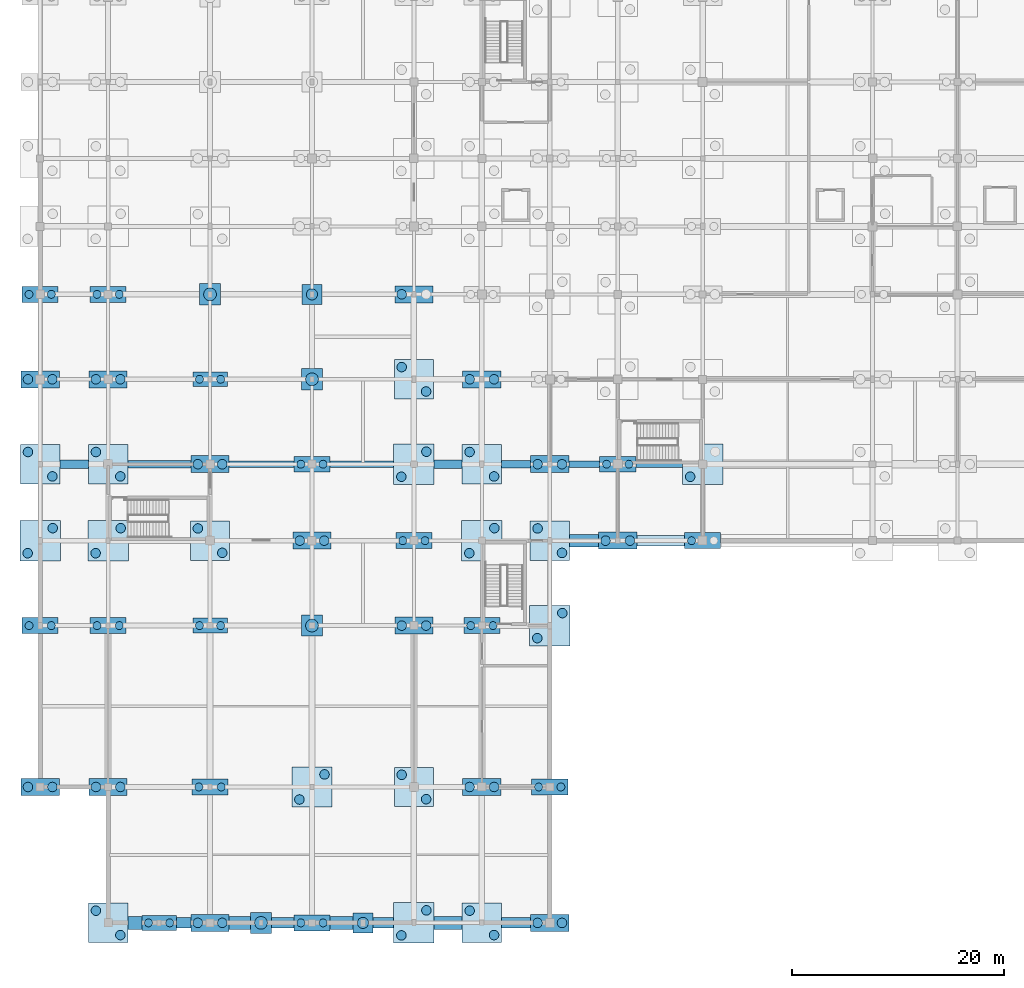
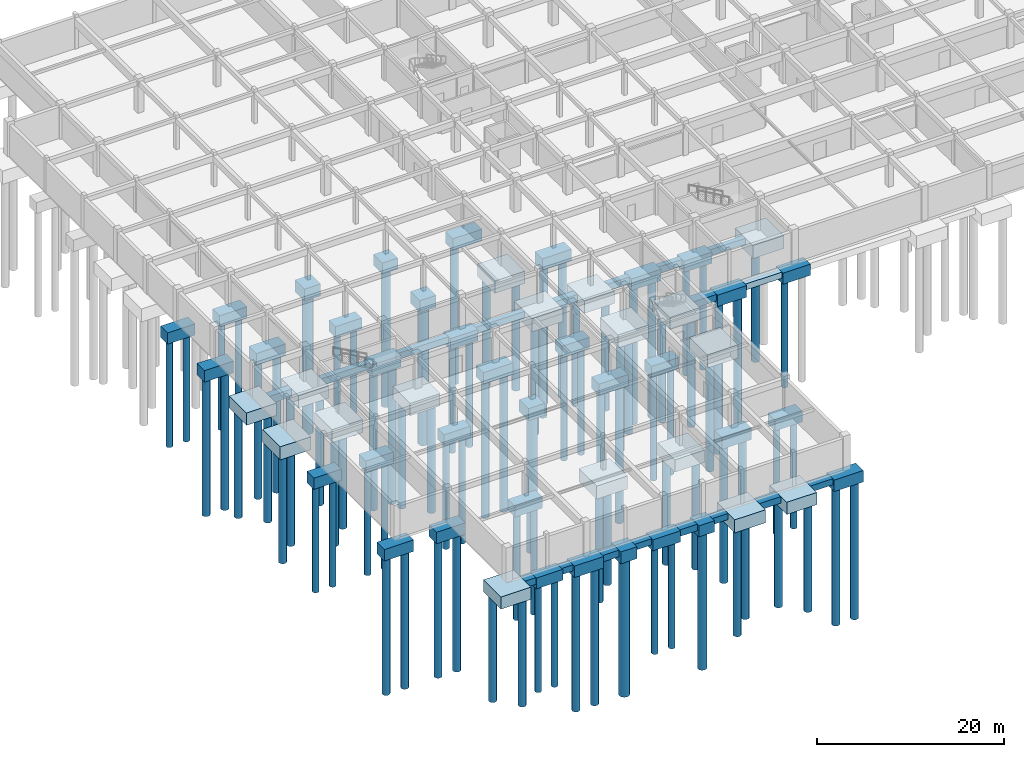
# One storey, part 1 of 28: 95 piles, 70 footings.
"""IFC4 building model written with IfcOpenShell, lengths in metres."""

from ifc_helpers import new_model, si_unit, direction, frame, origin, origin_2d, place, context, subcontext, project, spatial, rectangle, circle, extrude, material, material_profile, profile_set, type_object, element, save


model = new_model("IFC4")

# Units and contexts
model_context = context("Model", 3, precision=1e-05, world=origin(), true_north=direction((0.0, 1.0)))
body_context = subcontext(model_context, "Body", "Model", "MODEL_VIEW")
ifc_project = project(units=[si_unit("LENGTHUNIT", "METRE"), si_unit("AREAUNIT", "SQUARE_METRE"), si_unit("VOLUMEUNIT", "CUBIC_METRE"), si_unit("PLANEANGLEUNIT", "RADIAN"), si_unit("MASSUNIT", "GRAM", prefix="KILO")], contexts=[model_context])

# Site, building, storey
site_placement = place(None, origin())
site = spatial("IfcSite", under=ifc_project, at=site_placement, CompositionType="ELEMENT")
building_placement = place(site_placement, origin())
building = spatial("IfcBuilding", under=site, at=building_placement, Name="Vellmiral Cinema and Media Centre", CompositionType="ELEMENT")
storey_placement = place(building_placement, frame((0.0, 0.0, -4.5)))
storey = spatial("IfcBuildingStorey", under=building, at=storey_placement, Name="B1", CompositionType="ELEMENT", Elevation=-4.5)

# Footings
ifc_material_1 = material(Name="Concrete C30/37", Category="concrete")
footing_type_1 = type_object("IfcFootingType", Name="FTG-FB-60x80", PredefinedType="FOOTING_BEAM", material=ifc_material_1)
footing_1_placement = place(storey_placement, frame((30.300048828125, 43.199951171875, -1.26025390625), z_axis=(0.0, 0.0, 1.0), x_axis=(1.0, 0.0, 0.0)))
element("IfcFooting", 1, at=footing_1_placement, inside=storey, type_object=footing_type_1, Name="Footing Tie Beam 04", PredefinedType="FOOTING_BEAM", context=body_context, shape_type="SweptSolid", body=[
    extrude(rectangle(XDim=5.99609375, YDim=0.60009765625, at=origin_2d()), origin(), (0.0, 0.0, 1.0), 0.800048828125),
])
footing_2_placement = place(storey_placement, frame((58.300048828125, 43.199951171875, -1.26025390625), z_axis=(0.0, 0.0, 1.0), x_axis=(1.0, 0.0, 0.0)))
element("IfcFooting", 2, at=footing_2_placement, inside=storey, type_object=footing_type_1, Name="Footing Tie Beam 08", PredefinedType="FOOTING_BEAM", context=body_context, shape_type="SweptSolid", body=[
    extrude(rectangle(XDim=4.39599609375, YDim=0.60009765625, at=origin_2d()), origin(), (0.0, 0.0, 1.0), 0.800048828125),
])
ifc_material_2 = material(Name="Concrete C30/37", Category="concrete")
footing_type_2 = type_object("IfcFootingType", Name="FTG-FB-65x85", PredefinedType="FOOTING_BEAM", material=ifc_material_2)
footing_3_placement = place(storey_placement, frame((20.85009765625, 43.199951171875, -1.31005859375), z_axis=(0.0, 0.0, 1.0), x_axis=(1.0, 0.0, 0.0)))
element("IfcFooting", 3, at=footing_3_placement, inside=storey, type_object=footing_type_2, Name="Footing Tie Beam 03", PredefinedType="FOOTING_BEAM", context=body_context, shape_type="SweptSolid", body=[
    extrude(rectangle(XDim=6.095947265625, YDim=0.64990234375, at=origin_2d()), origin(), (0.0, 0.0, 1.0), 0.85009765625),
])
footing_4_placement = place(storey_placement, frame((51.25, 43.199951171875, -1.31005859375), z_axis=(0.0, 0.0, 1.0), x_axis=(1.0, 0.0, 0.0)))
element("IfcFooting", 4, at=footing_4_placement, inside=storey, type_object=footing_type_2, Name="Footing Tie Beam 07", PredefinedType="FOOTING_BEAM", context=body_context, shape_type="SweptSolid", body=[
    extrude(rectangle(XDim=2.89599609375, YDim=0.64990234375, at=origin_2d()), origin(), (0.0, 0.0, 1.0), 0.85009765625),
])
ifc_material_3 = material(Name="Concrete C30/37", Category="concrete")
footing_type_3 = type_object("IfcFootingType", Name="FTG-FB-70x90", PredefinedType="FOOTING_BEAM", material=ifc_material_3)
footing_5_placement = place(storey_placement, frame((11.22509765625, 43.199951171875, -1.35986328125), z_axis=(0.0, 0.0, 1.0), x_axis=(1.0, 0.0, 0.0)))
element("IfcFooting", 5, at=footing_5_placement, inside=storey, type_object=footing_type_3, Name="Footing Tie Beam 02", PredefinedType="FOOTING_BEAM", context=body_context, shape_type="SweptSolid", body=[
    extrude(rectangle(XDim=5.946044921875, YDim=0.699951171875, at=origin_2d()), origin(), (0.0, 0.0, 1.0), 0.89990234375),
])
footing_6_placement = place(storey_placement, frame((44.824951171875, 43.199951171875, -1.35986328125), z_axis=(0.0, 0.0, 1.0), x_axis=(1.0, 0.0, 0.0)))
element("IfcFooting", 6, at=footing_6_placement, inside=storey, type_object=footing_type_3, Name="Footing Tie Beam 06", PredefinedType="FOOTING_BEAM", context=body_context, shape_type="SweptSolid", body=[
    extrude(rectangle(XDim=2.74609375, YDim=0.699951171875, at=origin_2d()), origin(), (0.0, 0.0, 1.0), 0.89990234375),
])
ifc_material_4 = material(Name="Concrete C30/37", Category="concrete")
footing_type_4 = type_object("IfcFootingType", Name="FTG-FB-80x100", PredefinedType="FOOTING_BEAM", material=ifc_material_4)
footing_7_placement = place(storey_placement, frame((3.199951171875, 43.199951171875, -1.4599609375), z_axis=(0.0, 0.0, 1.0), x_axis=(1.0, 0.0, 0.0)))
element("IfcFooting", 7, at=footing_7_placement, inside=storey, type_object=footing_type_4, Name="Footing Tie Beam 01", PredefinedType="FOOTING_BEAM", context=body_context, shape_type="SweptSolid", body=[
    extrude(rectangle(XDim=2.696044921875, YDim=0.800048828125, at=origin_2d()), origin(), (0.0, 0.0, 1.0), 1.0),
])
footing_8_placement = place(storey_placement, frame((38.425048828125, 43.199951171875, -1.4599609375), z_axis=(0.0, 0.0, 1.0), x_axis=(1.0, 0.0, 0.0)))
element("IfcFooting", 8, at=footing_8_placement, inside=storey, type_object=footing_type_4, Name="Footing Tie Beam 05", PredefinedType="FOOTING_BEAM", context=body_context, shape_type="SweptSolid", body=[
    extrude(rectangle(XDim=2.64599609375, YDim=0.800048828125, at=origin_2d()), origin(), (0.0, 0.0, 1.0), 1.0),
])
ifc_material_5 = material(Name="Concrete C30/37", Category="concrete")
footing_type_5 = type_object("IfcFootingType", Name="FTG-PC-190x190x145", PredefinedType="PILE_CAP", material=ifc_material_5)
for number, where, z_axis, x_axis, name in (
    (9, (25.60009765625, 59.199951171875, -1.91015625), (0.0, 0.0, 1.0), (1.0, 0.0, 0.0), "Pile Cap 051"),
    (10, (30.39990234375, 0.0, -1.91015625), (0.0, 0.0, 1.0), (1.0, 0.0, 0.0), "Pile Cap 053"),
):
    element("IfcFooting", number, at=place(storey_placement, frame(where, z_axis=z_axis, x_axis=x_axis)), inside=storey, type_object=footing_type_5, Name=name, PredefinedType="PILE_CAP", context=body_context, shape_type="SweptSolid", body=[
        extrude(rectangle(XDim=1.89990234375, YDim=1.89990234375, at=origin_2d()), origin(), (0.0, 0.0, 1.0), 1.449951171875),
    ])
ifc_material_6 = material(Name="Concrete C30/37", Category="concrete")
footing_type_6 = type_object("IfcFootingType", Name="FTG-PC-200x200x155", PredefinedType="PILE_CAP", material=ifc_material_6)
for number, where, z_axis, x_axis, name in (
    (11, (16.0, 59.199951171875, -2.01025390625), (0.0, 0.0, 1.0), (1.0, 0.0, 0.0), "Pile Cap 036"),
    (12, (20.800048828125, 0.0, -2.01025390625), (0.0, 0.0, 1.0), (1.0, 0.0, 0.0), "Pile Cap 039"),
    (13, (25.60009765625, 28.0, -2.01025390625), (0.0, 0.0, 1.0), (1.0, 0.0, 0.0), "Pile Cap 049"),
    (14, (25.60009765625, 51.199951171875, -2.01025390625), (0.0, 0.0, 1.0), (1.0, 0.0, 0.0), "Pile Cap 050"),
):
    element("IfcFooting", number, at=place(storey_placement, frame(where, z_axis=z_axis, x_axis=x_axis)), inside=storey, type_object=footing_type_6, Name=name, PredefinedType="PILE_CAP", context=body_context, shape_type="SweptSolid", body=[
        extrude(rectangle(XDim=2.0, YDim=2.0, at=origin_2d()), origin(), (0.0, 0.0, 1.0), 1.550048828125),
    ])
ifc_material_7 = material(Name="Concrete C30/37", Category="concrete")
footing_type_7 = type_object("IfcFootingType", Name="FTG-PC-325x140x140", PredefinedType="PILE_CAP", material=ifc_material_7)
for number, where, z_axis, x_axis, name in (
    (15, (11.199951171875, 0.0, -1.85986328125), (0.0, 0.0, 1.0), (1.0, 0.0, 0.0), "Pile Cap 025"),
    (16, (16.0, 28.0, -1.85986328125), (0.0, 0.0, 1.0), (1.0, 0.0, 0.0), "Pile Cap 034"),
    (17, (16.0, 51.199951171875, -1.85986328125), (0.0, 0.0, 1.0), (1.0, 0.0, 0.0), "Pile Cap 035"),
):
    element("IfcFooting", number, at=place(storey_placement, frame(where, z_axis=z_axis, x_axis=x_axis)), inside=storey, type_object=footing_type_7, Name=name, PredefinedType="PILE_CAP", context=body_context, shape_type="SweptSolid", body=[
        extrude(rectangle(XDim=3.25, YDim=1.39990234375, at=origin_2d()), origin(), (0.0, 0.0, 1.0), 1.39990234375),
    ])
ifc_material_8 = material(Name="Concrete C30/37", Category="concrete")
footing_type_8 = type_object("IfcFootingType", Name="FTG-PC-340x150x145", PredefinedType="PILE_CAP", material=ifc_material_8)
for number, where, z_axis, x_axis, name in (
    (18, (0.0, 28.0, -1.91015625), (0.0, 0.0, 1.0), (1.0, 0.0, 0.0), "Pile Cap 009"),
    (19, (0.0, 59.199951171875, -1.91015625), (0.0, 0.0, 1.0), (1.0, 0.0, 0.0), "Pile Cap 010"),
    (20, (6.39990234375, 28.0, -1.91015625), (0.0, 0.0, 1.0), (1.0, 0.0, 0.0), "Pile Cap 022"),
    (21, (6.39990234375, 59.199951171875, -1.91015625), (0.0, 0.0, 1.0), (1.0, 0.0, 0.0), "Pile Cap 023"),
    (22, (16.0, 12.800048828125, -1.91015625), (0.0, 0.0, 1.0), (1.0, 0.0, 0.0), "Pile Cap 033"),
    (23, (25.60009765625, 0.0, -1.91015625), (0.0, 0.0, 1.0), (1.0, 0.0, 0.0), "Pile Cap 044"),
    (24, (25.60009765625, 43.199951171875, -1.91015625), (0.0, 0.0, 1.0), (1.0, 0.0, 0.0), "Pile Cap 045"),
    (25, (35.199951171875, 36.0, -1.91015625), (0.0, 0.0, 1.0), (1.0, 0.0, 0.0), "Pile Cap 064"),
    (26, (41.60009765625, 28.0, -1.91015625), (0.0, 0.0, 1.0), (1.0, 0.0, 0.0), "Pile Cap 077"),
    (27, (48.0, 12.800048828125, -1.91015625), (0.0, 0.0, 1.0), (1.0, 0.0, 0.0), "Pile Cap 089"),
    (28, (54.39990234375, 43.199951171875, -1.91015625), (0.0, 0.0, 1.0), (1.0, 0.0, 0.0), "Pile Cap 099"),
    (29, (62.39990234375, 36.0, -1.91015625), (0.0, 0.0, 1.0), (1.0, 0.0, 0.0), "Pile Cap 107"),
):
    element("IfcFooting", number, at=place(storey_placement, frame(where, z_axis=z_axis, x_axis=x_axis)), inside=storey, type_object=footing_type_8, Name=name, PredefinedType="PILE_CAP", context=body_context, shape_type="SweptSolid", body=[
        extrude(rectangle(XDim=3.39990234375, YDim=1.5, at=origin_2d()), origin(), (0.0, 0.0, 1.0), 1.449951171875),
    ])
ifc_material_9 = material(Name="Concrete C30/37", Category="concrete")
footing_type_9 = type_object("IfcFootingType", Name="FTG-PC-360x160x150", PredefinedType="PILE_CAP", material=ifc_material_9)
for number, where, z_axis, x_axis, name in (
    (30, (0.0, 12.800048828125, -1.9599609375), (0.0, 0.0, 1.0), (1.0, 0.0, 0.0), "Pile Cap 006"),
    (31, (0.0, 51.199951171875, -1.9599609375), (0.0, 0.0, 1.0), (1.0, 0.0, 0.0), "Pile Cap 007"),
    (32, (6.39990234375, 12.800048828125, -1.9599609375), (0.0, 0.0, 1.0), (1.0, 0.0, 0.0), "Pile Cap 019"),
    (33, (6.39990234375, 51.199951171875, -1.9599609375), (0.0, 0.0, 1.0), (1.0, 0.0, 0.0), "Pile Cap 020"),
    (34, (16.0, 0.0, -1.9599609375), (0.0, 0.0, 1.0), (1.0, 0.0, 0.0), "Pile Cap 029"),
    (35, (16.0, 43.199951171875, -1.9599609375), (0.0, 0.0, 1.0), (1.0, 0.0, 0.0), "Pile Cap 030"),
    (36, (25.60009765625, 36.0, -1.9599609375), (0.0, 0.0, 1.0), (1.0, 0.0, 0.0), "Pile Cap 041"),
    (37, (35.199951171875, 28.0, -1.9599609375), (0.0, 0.0, 1.0), (1.0, 0.0, 0.0), "Pile Cap 061"),
    (38, (35.199951171875, 59.199951171875, -1.9599609375), (0.0, 0.0, 1.0), (1.0, 0.0, 0.0), "Pile Cap 062"),
    (39, (41.60009765625, 12.800048828125, -1.9599609375), (0.0, 0.0, 1.0), (1.0, 0.0, 0.0), "Pile Cap 074"),
    (40, (41.60009765625, 51.199951171875, -1.9599609375), (0.0, 0.0, 1.0), (1.0, 0.0, 0.0), "Pile Cap 075"),
    (41, (48.0, 0.0, -1.9599609375), (0.0, 0.0, 1.0), (1.0, 0.0, 0.0), "Pile Cap 086"),
    (42, (48.0, 43.199951171875, -1.9599609375), (0.0, 0.0, 1.0), (1.0, 0.0, 0.0), "Pile Cap 087"),
    (43, (54.39990234375, 36.0, -1.9599609375), (0.0, 0.0, 1.0), (1.0, 0.0, 0.0), "Pile Cap 096"),
):
    element("IfcFooting", number, at=place(storey_placement, frame(where, z_axis=z_axis, x_axis=x_axis)), inside=storey, type_object=footing_type_9, Name=name, PredefinedType="PILE_CAP", context=body_context, shape_type="SweptSolid", body=[
        extrude(rectangle(XDim=3.60009765625, YDim=1.60009765625, at=origin_2d()), origin(), (0.0, 0.0, 1.0), 1.5),
    ])
ifc_material_10 = material(Name="Concrete C30/37", Category="concrete")
footing_type_10 = type_object("IfcFootingType", Name="FTG-PC-370x370x160", PredefinedType="PILE_CAP", material=ifc_material_10)
for number, where, z_axis, x_axis, name in (
    (44, (0.0, 43.199951171875, -2.06005859375), (0.0, 0.0, 1.0), (1.0, 0.0, 0.0), "Pile Cap 004"),
    (45, (6.39990234375, 0.0, -2.06005859375), (0.0, 0.0, 1.0), (1.0, 0.0, 0.0), "Pile Cap 015"),
    (46, (6.39990234375, 43.199951171875, -2.06005859375), (0.0, 0.0, 1.0), (1.0, 0.0, 0.0), "Pile Cap 016"),
    (47, (16.0, 36.0, -2.06005859375), (0.0, 0.0, 1.0), (1.0, 0.0, 0.0), "Pile Cap 026"),
    (48, (35.199951171875, 12.800048828125, -2.06005859375), (0.0, 0.0, 1.0), (1.0, 0.0, 0.0), "Pile Cap 058"),
    (49, (35.199951171875, 51.199951171875, -2.06005859375), (0.0, 0.0, 1.0), (1.0, 0.0, 0.0), "Pile Cap 059"),
    (50, (41.60009765625, 0.0, -2.06005859375), (0.0, 0.0, 1.0), (1.0, 0.0, 0.0), "Pile Cap 070"),
    (51, (41.60009765625, 43.199951171875, -2.06005859375), (0.0, 0.0, 1.0), (1.0, 0.0, 0.0), "Pile Cap 071"),
    (52, (48.0, 36.0, -2.06005859375), (0.0, 0.0, 1.0), (1.0, 0.0, 0.0), "Pile Cap 083"),
):
    element("IfcFooting", number, at=place(storey_placement, frame(where, z_axis=z_axis, x_axis=x_axis)), inside=storey, type_object=footing_type_10, Name=name, PredefinedType="PILE_CAP", context=body_context, shape_type="SweptSolid", body=[
        extrude(rectangle(XDim=3.699951171875, YDim=3.699951171875, at=origin_2d()), origin(), (0.0, 0.0, 1.0), 1.60009765625),
    ])
ifc_material_11 = material(Name="Concrete C30/37", Category="concrete")
footing_type_11 = type_object("IfcFootingType", Name="FTG-PC-380x380x170", PredefinedType="PILE_CAP", material=ifc_material_11)
for number, where, z_axis, x_axis, name in (
    (53, (0.0, 36.0, -2.16015625), (0.0, 0.0, 1.0), (1.0, 0.0, 0.0), "Pile Cap 001"),
    (54, (6.39990234375, 36.0, -2.16015625), (0.0, 0.0, 1.0), (1.0, 0.0, 0.0), "Pile Cap 012"),
    (55, (25.60009765625, 12.800048828125, -2.16015625), (0.0, 0.0, 1.0), (1.0, 0.0, 0.0), "Pile Cap 040"),
    (56, (35.199951171875, 0.0, -2.16015625), (0.0, 0.0, 1.0), (1.0, 0.0, 0.0), "Pile Cap 054"),
    (57, (35.199951171875, 43.199951171875, -2.16015625), (0.0, 0.0, 1.0), (1.0, 0.0, 0.0), "Pile Cap 055"),
    (58, (41.60009765625, 36.0, -2.16015625), (0.0, 0.0, 1.0), (1.0, 0.0, 0.0), "Pile Cap 067"),
    (59, (48.0, 28.0, -2.16015625), (0.0, 0.0, 1.0), (1.0, 0.0, 0.0), "Pile Cap 080"),
    (60, (62.39990234375, 43.199951171875, -2.16015625), (0.0, 0.0, 1.0), (1.0, 0.0, 0.0), "Pile Cap 101"),
):
    element("IfcFooting", number, at=place(storey_placement, frame(where, z_axis=z_axis, x_axis=x_axis)), inside=storey, type_object=footing_type_11, Name=name, PredefinedType="PILE_CAP", context=body_context, shape_type="SweptSolid", body=[
        extrude(rectangle(XDim=3.800048828125, YDim=3.800048828125, at=origin_2d()), origin(), (0.0, 0.0, 1.0), 1.699951171875),
    ])
ifc_material_12 = material(Name="Concrete C30/37", Category="concrete")
footing_type_12 = type_object("IfcFootingType", Name="FTG-SF-100x80", PredefinedType="STRIP_FOOTING", material=ifc_material_12)
footing_9_placement = place(storey_placement, frame((13.512451171875, 0.0, -1.26025390625), z_axis=(0.0, 0.0, 1.0), x_axis=(1.0, 0.0, 0.0)))
element("IfcFooting", 61, at=footing_9_placement, inside=storey, type_object=footing_type_12, Name="Strip Footing 02", PredefinedType="STRIP_FOOTING", context=body_context, shape_type="SweptSolid", body=[
    extrude(rectangle(XDim=1.37109375, YDim=1.0, at=origin_2d()), origin(), (0.0, 0.0, 1.0), 0.800048828125),
])
footing_10_placement = place(storey_placement, frame((22.85009765625, 0.0, -1.26025390625), z_axis=(0.0, 0.0, 1.0), x_axis=(1.0, 0.0, 0.0)))
element("IfcFooting", 62, at=footing_10_placement, inside=storey, type_object=footing_type_12, Name="Strip Footing 04", PredefinedType="STRIP_FOOTING", context=body_context, shape_type="SweptSolid", body=[
    extrude(rectangle(XDim=2.095947265625, YDim=1.0, at=origin_2d()), origin(), (0.0, 0.0, 1.0), 0.800048828125),
])
footing_11_placement = place(storey_placement, frame((32.324951171875, 0.0, -1.26025390625), z_axis=(0.0, 0.0, 1.0), x_axis=(1.0, 0.0, 0.0)))
element("IfcFooting", 63, at=footing_11_placement, inside=storey, type_object=footing_type_12, Name="Strip Footing 06", PredefinedType="STRIP_FOOTING", context=body_context, shape_type="SweptSolid", body=[
    extrude(rectangle(XDim=1.946044921875, YDim=1.0, at=origin_2d()), origin(), (0.0, 0.0, 1.0), 0.800048828125),
])
footing_12_placement = place(storey_placement, frame((44.824951171875, 0.0, -1.26025390625), z_axis=(0.0, 0.0, 1.0), x_axis=(1.0, 0.0, 0.0)))
element("IfcFooting", 64, at=footing_12_placement, inside=storey, type_object=footing_type_12, Name="Strip Footing 08", PredefinedType="STRIP_FOOTING", context=body_context, shape_type="SweptSolid", body=[
    extrude(rectangle(XDim=2.74609375, YDim=1.0, at=origin_2d()), origin(), (0.0, 0.0, 1.0), 0.800048828125),
])
footing_13_placement = place(storey_placement, frame((58.449951171875, 36.0, -1.26025390625), z_axis=(0.0, 0.0, 1.0), x_axis=(1.0, 0.0, 0.0)))
element("IfcFooting", 65, at=footing_13_placement, inside=storey, type_object=footing_type_12, Name="Strip Footing 10", PredefinedType="STRIP_FOOTING", context=body_context, shape_type="SweptSolid", body=[
    extrude(rectangle(XDim=4.49609375, YDim=1.0, at=origin_2d()), origin(), (0.0, 0.0, 1.0), 0.800048828125),
])
ifc_material_13 = material(Name="Concrete C30/37", Category="concrete")
footing_type_13 = type_object("IfcFootingType", Name="FTG-SF-120x85", PredefinedType="STRIP_FOOTING", material=ifc_material_13)
footing_14_placement = place(storey_placement, frame((8.91259765625, 0.0, -1.31005859375), z_axis=(0.0, 0.0, 1.0), x_axis=(1.0, 0.0, 0.0)))
element("IfcFooting", 66, at=footing_14_placement, inside=storey, type_object=footing_type_13, Name="Strip Footing 01", PredefinedType="STRIP_FOOTING", context=body_context, shape_type="SweptSolid", body=[
    extrude(rectangle(XDim=1.321044921875, YDim=1.199951171875, at=origin_2d()), origin(), (0.0, 0.0, 1.0), 0.85009765625),
])
footing_15_placement = place(storey_placement, frame((18.800048828125, 0.0, -1.31005859375), z_axis=(0.0, 0.0, 1.0), x_axis=(1.0, 0.0, 0.0)))
element("IfcFooting", 67, at=footing_15_placement, inside=storey, type_object=footing_type_13, Name="Strip Footing 03", PredefinedType="STRIP_FOOTING", context=body_context, shape_type="SweptSolid", body=[
    extrude(rectangle(XDim=1.99609375, YDim=1.199951171875, at=origin_2d()), origin(), (0.0, 0.0, 1.0), 0.85009765625),
])
footing_16_placement = place(storey_placement, frame((28.375, 0.0, -1.31005859375), z_axis=(0.0, 0.0, 1.0), x_axis=(1.0, 0.0, 0.0)))
element("IfcFooting", 68, at=footing_16_placement, inside=storey, type_object=footing_type_13, Name="Strip Footing 05", PredefinedType="STRIP_FOOTING", context=body_context, shape_type="SweptSolid", body=[
    extrude(rectangle(XDim=2.14599609375, YDim=1.199951171875, at=origin_2d()), origin(), (0.0, 0.0, 1.0), 0.85009765625),
])
footing_17_placement = place(storey_placement, frame((38.425048828125, 0.0, -1.31005859375), z_axis=(0.0, 0.0, 1.0), x_axis=(1.0, 0.0, 0.0)))
element("IfcFooting", 69, at=footing_17_placement, inside=storey, type_object=footing_type_13, Name="Strip Footing 07", PredefinedType="STRIP_FOOTING", context=body_context, shape_type="SweptSolid", body=[
    extrude(rectangle(XDim=2.64599609375, YDim=1.199951171875, at=origin_2d()), origin(), (0.0, 0.0, 1.0), 0.85009765625),
])
footing_18_placement = place(storey_placement, frame((51.22509765625, 36.0, -1.31005859375), z_axis=(0.0, 0.0, 1.0), x_axis=(1.0, 0.0, 0.0)))
element("IfcFooting", 70, at=footing_18_placement, inside=storey, type_object=footing_type_13, Name="Strip Footing 09", PredefinedType="STRIP_FOOTING", context=body_context, shape_type="SweptSolid", body=[
    extrude(rectangle(XDim=2.74609375, YDim=1.199951171875, at=origin_2d()), origin(), (0.0, 0.0, 1.0), 0.85009765625),
])

# Piles
ifc_material_14 = material(Name="Concrete C30/37", Category="concrete")
ifc_material_profile_1 = material_profile(ifc_material_14, circle(Radius=0.52490234375, at=origin_2d()), Name="PILE D1050")
ifc_profile_set_1 = profile_set([ifc_material_profile_1], Name="Concrete C30/37")
pile_type_1 = type_object("IfcPileType", Name="PIL-BORED-D1050-L18", PredefinedType="BORED", material=ifc_profile_set_1)
for number, where, z_axis, x_axis, name in (
    (71, (25.60009765625, 59.199951171875, -1.81005859375), (0.0, 0.0, -1.0), (1.0, 0.0, 0.0), "Bored Pile 051-1"),
    (72, (30.39990234375, 0.0, -1.81005859375), (0.0, 0.0, -1.0), (1.0, 0.0, 0.0), "Bored Pile 053-1"),
):
    element("IfcPile", number, at=place(storey_placement, frame(where, z_axis=z_axis, x_axis=x_axis)), inside=storey, type_object=pile_type_1, Name=name, PredefinedType="BORED", context=body_context, shape_type="SweptSolid", body=[
        extrude(circle(Radius=0.52490234375, at=origin_2d()), origin(), (0.0, 0.0, 1.0), 18.0),
    ])
ifc_material_15 = material(Name="Concrete C30/37", Category="concrete")
ifc_material_profile_2 = material_profile(ifc_material_15, circle(Radius=0.60009765625, at=origin_2d()), Name="PILE D1200")
ifc_profile_set_2 = profile_set([ifc_material_profile_2], Name="Concrete C30/37")
pile_type_2 = type_object("IfcPileType", Name="PIL-BORED-D1200-L18", PredefinedType="BORED", material=ifc_profile_set_2)
for number, where, z_axis, x_axis, name in (
    (73, (16.0, 59.199951171875, -1.909912109375), (0.0, 0.0, -1.0), (1.0, 0.0, 0.0), "Bored Pile 036-1"),
    (74, (20.800048828125, 0.0, -1.909912109375), (0.0, 0.0, -1.0), (1.0, 0.0, 0.0), "Bored Pile 039-1"),
    (75, (25.60009765625, 28.0, -1.909912109375), (0.0, 0.0, -1.0), (1.0, 0.0, 0.0), "Bored Pile 049-1"),
    (76, (25.60009765625, 51.199951171875, -1.909912109375), (0.0, 0.0, -1.0), (1.0, 0.0, 0.0), "Bored Pile 050-1"),
):
    element("IfcPile", number, at=place(storey_placement, frame(where, z_axis=z_axis, x_axis=x_axis)), inside=storey, type_object=pile_type_2, Name=name, PredefinedType="BORED", context=body_context, shape_type="SweptSolid", body=[
        extrude(circle(Radius=0.60009765625, at=origin_2d()), origin(), (0.0, 0.0, 1.0), 18.0),
    ])
ifc_material_16 = material(Name="Concrete C30/37", Category="concrete")
ifc_material_profile_3 = material_profile(ifc_material_16, circle(Radius=0.375, at=origin_2d()), Name="PILE D750")
ifc_profile_set_3 = profile_set([ifc_material_profile_3], Name="Concrete C30/37")
pile_type_3 = type_object("IfcPileType", Name="PIL-BORED-D750-L14", PredefinedType="BORED", material=ifc_profile_set_3)
for number, where, z_axis, x_axis, name in (
    (77, (-1.050048828125, 28.0, -1.81005859375), (0.0, 0.0, -1.0), (1.0, 0.0, 0.0), "Bored Pile 009-1"),
    (78, (1.050048828125, 28.0, -1.81005859375), (0.0, 0.0, -1.0), (1.0, 0.0, 0.0), "Bored Pile 009-2"),
    (79, (-1.050048828125, 59.199951171875, -1.81005859375), (0.0, 0.0, -1.0), (1.0, 0.0, 0.0), "Bored Pile 010-1"),
    (80, (1.050048828125, 59.199951171875, -1.81005859375), (0.0, 0.0, -1.0), (1.0, 0.0, 0.0), "Bored Pile 010-2"),
    (81, (5.35009765625, 28.0, -1.81005859375), (0.0, 0.0, -1.0), (1.0, 0.0, 0.0), "Bored Pile 022-1"),
    (82, (7.449951171875, 28.0, -1.81005859375), (0.0, 0.0, -1.0), (1.0, 0.0, 0.0), "Bored Pile 022-2"),
    (83, (5.35009765625, 59.199951171875, -1.81005859375), (0.0, 0.0, -1.0), (1.0, 0.0, 0.0), "Bored Pile 023-1"),
    (84, (7.449951171875, 59.199951171875, -1.81005859375), (0.0, 0.0, -1.0), (1.0, 0.0, 0.0), "Bored Pile 023-2"),
    (85, (10.199951171875, 0.0, -1.760009765625), (0.0, 0.0, -1.0), (1.0, 0.0, 0.0), "Bored Pile 025-1"),
    (86, (12.199951171875, 0.0, -1.760009765625), (0.0, 0.0, -1.0), (1.0, 0.0, 0.0), "Bored Pile 025-2"),
    (87, (14.949951171875, 12.800048828125, -1.81005859375), (0.0, 0.0, -1.0), (1.0, 0.0, 0.0), "Bored Pile 033-1"),
    (88, (17.050048828125, 12.800048828125, -1.81005859375), (0.0, 0.0, -1.0), (1.0, 0.0, 0.0), "Bored Pile 033-2"),
    (89, (15.0, 28.0, -1.760009765625), (0.0, 0.0, -1.0), (1.0, 0.0, 0.0), "Bored Pile 034-1"),
    (90, (17.0, 28.0, -1.760009765625), (0.0, 0.0, -1.0), (1.0, 0.0, 0.0), "Bored Pile 034-2"),
    (91, (15.0, 51.199951171875, -1.760009765625), (0.0, 0.0, -1.0), (1.0, 0.0, 0.0), "Bored Pile 035-1"),
    (92, (17.0, 51.199951171875, -1.760009765625), (0.0, 0.0, -1.0), (1.0, 0.0, 0.0), "Bored Pile 035-2"),
    (93, (24.550048828125, 0.0, -1.81005859375), (0.0, 0.0, -1.0), (1.0, 0.0, 0.0), "Bored Pile 044-1"),
    (94, (26.64990234375, 0.0, -1.81005859375), (0.0, 0.0, -1.0), (1.0, 0.0, 0.0), "Bored Pile 044-2"),
    (95, (24.550048828125, 43.199951171875, -1.81005859375), (0.0, 0.0, -1.0), (1.0, 0.0, 0.0), "Bored Pile 045-1"),
    (96, (26.64990234375, 43.199951171875, -1.81005859375), (0.0, 0.0, -1.0), (1.0, 0.0, 0.0), "Bored Pile 045-2"),
    (97, (34.14990234375, 36.0, -1.81005859375), (0.0, 0.0, -1.0), (1.0, 0.0, 0.0), "Bored Pile 064-1"),
    (98, (36.25, 36.0, -1.81005859375), (0.0, 0.0, -1.0), (1.0, 0.0, 0.0), "Bored Pile 064-2"),
    (99, (40.550048828125, 28.0, -1.81005859375), (0.0, 0.0, -1.0), (1.0, 0.0, 0.0), "Bored Pile 077-1"),
    (100, (42.64990234375, 28.0, -1.81005859375), (0.0, 0.0, -1.0), (1.0, 0.0, 0.0), "Bored Pile 077-2"),
    (101, (46.949951171875, 12.800048828125, -1.81005859375), (0.0, 0.0, -1.0), (1.0, 0.0, 0.0), "Bored Pile 089-1"),
    (102, (49.050048828125, 12.800048828125, -1.81005859375), (0.0, 0.0, -1.0), (1.0, 0.0, 0.0), "Bored Pile 089-2"),
    (103, (53.35009765625, 43.199951171875, -1.81005859375), (0.0, 0.0, -1.0), (1.0, 0.0, 0.0), "Bored Pile 099-1"),
    (104, (55.449951171875, 43.199951171875, -1.81005859375), (0.0, 0.0, -1.0), (1.0, 0.0, 0.0), "Bored Pile 099-2"),
    (105, (61.35009765625, 36.0, -1.81005859375), (0.0, 0.0, -1.0), (1.0, 0.0, 0.0), "Bored Pile 107-1"),
):
    element("IfcPile", number, at=place(storey_placement, frame(where, z_axis=z_axis, x_axis=x_axis)), inside=storey, type_object=pile_type_3, Name=name, PredefinedType="BORED", context=body_context, shape_type="SweptSolid", body=[
        extrude(circle(Radius=0.375, at=origin_2d()), origin(), (0.0, 0.0, 1.0), 14.0),
    ])
ifc_material_17 = material(Name="Concrete C30/37", Category="concrete")
ifc_material_profile_4 = material_profile(ifc_material_17, circle(Radius=0.449951171875, at=origin_2d()), Name="PILE D900")
ifc_profile_set_4 = profile_set([ifc_material_profile_4], Name="Concrete C30/37")
pile_type_4 = type_object("IfcPileType", Name="PIL-BORED-D900-L14", PredefinedType="BORED", material=ifc_profile_set_4)
for number, where, z_axis, x_axis, name in (
    (106, (1.179931640625, 37.179931640625, -2.06005859375), (0.0, 0.0, -1.0), (1.0, 0.0, 0.0), "Bored Pile 001-1"),
    (107, (-1.179931640625, 34.820068359375, -2.06005859375), (0.0, 0.0, -1.0), (1.0, 0.0, 0.0), "Bored Pile 001-2"),
    (108, (-1.14990234375, 44.35009765625, -1.9599609375), (0.0, 0.0, -1.0), (1.0, 0.0, 0.0), "Bored Pile 004-1"),
    (109, (1.14990234375, 42.050048828125, -1.9599609375), (0.0, 0.0, -1.0), (1.0, 0.0, 0.0), "Bored Pile 004-2"),
    (110, (7.580078125, 37.179931640625, -2.06005859375), (0.0, 0.0, -1.0), (1.0, 0.0, 0.0), "Bored Pile 012-1"),
    (111, (5.219970703125, 34.820068359375, -2.06005859375), (0.0, 0.0, -1.0), (1.0, 0.0, 0.0), "Bored Pile 012-2"),
    (112, (5.25, 1.14990234375, -1.9599609375), (0.0, 0.0, -1.0), (1.0, 0.0, 0.0), "Bored Pile 015-1"),
    (113, (7.550048828125, -1.14990234375, -1.9599609375), (0.0, 0.0, -1.0), (1.0, 0.0, 0.0), "Bored Pile 015-2"),
    (114, (5.25, 44.35009765625, -1.9599609375), (0.0, 0.0, -1.0), (1.0, 0.0, 0.0), "Bored Pile 016-1"),
    (115, (7.550048828125, 42.050048828125, -1.9599609375), (0.0, 0.0, -1.0), (1.0, 0.0, 0.0), "Bored Pile 016-2"),
    (116, (14.85009765625, 37.14990234375, -1.9599609375), (0.0, 0.0, -1.0), (1.0, 0.0, 0.0), "Bored Pile 026-1"),
    (117, (17.14990234375, 34.85009765625, -1.9599609375), (0.0, 0.0, -1.0), (1.0, 0.0, 0.0), "Bored Pile 026-2"),
    (118, (26.780029296875, 13.97998046875, -2.06005859375), (0.0, 0.0, -1.0), (1.0, 0.0, 0.0), "Bored Pile 040-1"),
    (119, (24.419921875, 11.6201171875, -2.06005859375), (0.0, 0.0, -1.0), (1.0, 0.0, 0.0), "Bored Pile 040-2"),
    (120, (36.3798828125, 1.179931640625, -2.06005859375), (0.0, 0.0, -1.0), (1.0, 0.0, 0.0), "Bored Pile 054-1"),
    (121, (34.02001953125, -1.179931640625, -2.06005859375), (0.0, 0.0, -1.0), (1.0, 0.0, 0.0), "Bored Pile 054-2"),
    (122, (36.3798828125, 44.3798828125, -2.06005859375), (0.0, 0.0, -1.0), (1.0, 0.0, 0.0), "Bored Pile 055-1"),
    (123, (34.02001953125, 42.02001953125, -2.06005859375), (0.0, 0.0, -1.0), (1.0, 0.0, 0.0), "Bored Pile 055-2"),
    (124, (34.050048828125, 13.949951171875, -1.9599609375), (0.0, 0.0, -1.0), (1.0, 0.0, 0.0), "Bored Pile 058-1"),
    (125, (36.35009765625, 11.64990234375, -1.9599609375), (0.0, 0.0, -1.0), (1.0, 0.0, 0.0), "Bored Pile 058-2"),
    (126, (34.050048828125, 52.35009765625, -1.9599609375), (0.0, 0.0, -1.0), (1.0, 0.0, 0.0), "Bored Pile 059-1"),
    (127, (36.35009765625, 50.050048828125, -1.9599609375), (0.0, 0.0, -1.0), (1.0, 0.0, 0.0), "Bored Pile 059-2"),
    (128, (42.780029296875, 37.179931640625, -2.06005859375), (0.0, 0.0, -1.0), (1.0, 0.0, 0.0), "Bored Pile 067-1"),
    (129, (40.419921875, 34.820068359375, -2.06005859375), (0.0, 0.0, -1.0), (1.0, 0.0, 0.0), "Bored Pile 067-2"),
    (130, (40.449951171875, 1.14990234375, -1.9599609375), (0.0, 0.0, -1.0), (1.0, 0.0, 0.0), "Bored Pile 070-1"),
    (131, (42.75, -1.14990234375, -1.9599609375), (0.0, 0.0, -1.0), (1.0, 0.0, 0.0), "Bored Pile 070-2"),
    (132, (40.449951171875, 44.35009765625, -1.9599609375), (0.0, 0.0, -1.0), (1.0, 0.0, 0.0), "Bored Pile 071-1"),
    (133, (42.75, 42.050048828125, -1.9599609375), (0.0, 0.0, -1.0), (1.0, 0.0, 0.0), "Bored Pile 071-2"),
    (134, (49.179931640625, 29.179931640625, -2.06005859375), (0.0, 0.0, -1.0), (1.0, 0.0, 0.0), "Bored Pile 080-1"),
    (135, (46.820068359375, 26.820068359375, -2.06005859375), (0.0, 0.0, -1.0), (1.0, 0.0, 0.0), "Bored Pile 080-2"),
    (136, (46.85009765625, 37.14990234375, -1.9599609375), (0.0, 0.0, -1.0), (1.0, 0.0, 0.0), "Bored Pile 083-1"),
    (137, (49.14990234375, 34.85009765625, -1.9599609375), (0.0, 0.0, -1.0), (1.0, 0.0, 0.0), "Bored Pile 083-2"),
    (138, (61.219970703125, 42.02001953125, -2.06005859375), (0.0, 0.0, -1.0), (1.0, 0.0, 0.0), "Bored Pile 101-2"),
):
    element("IfcPile", number, at=place(storey_placement, frame(where, z_axis=z_axis, x_axis=x_axis)), inside=storey, type_object=pile_type_4, Name=name, PredefinedType="BORED", context=body_context, shape_type="SweptSolid", body=[
        extrude(circle(Radius=0.449951171875, at=origin_2d()), origin(), (0.0, 0.0, 1.0), 14.0),
    ])
ifc_material_18 = material(Name="Concrete C30/37", Category="concrete")
ifc_material_profile_5 = material_profile(ifc_material_18, circle(Radius=0.449951171875, at=origin_2d()), Name="PILE D900")
ifc_profile_set_5 = profile_set([ifc_material_profile_5], Name="Concrete C30/37")
pile_type_5 = type_object("IfcPileType", Name="PIL-BORED-D900-L18", PredefinedType="BORED", material=ifc_profile_set_5)
for number, where, z_axis, x_axis, name in (
    (139, (-1.14990234375, 12.800048828125, -1.860107421875), (0.0, 0.0, -1.0), (1.0, 0.0, 0.0), "Bored Pile 006-1"),
    (140, (1.14990234375, 12.800048828125, -1.860107421875), (0.0, 0.0, -1.0), (1.0, 0.0, 0.0), "Bored Pile 006-2"),
    (141, (-1.14990234375, 51.199951171875, -1.860107421875), (0.0, 0.0, -1.0), (1.0, 0.0, 0.0), "Bored Pile 007-1"),
    (142, (1.14990234375, 51.199951171875, -1.860107421875), (0.0, 0.0, -1.0), (1.0, 0.0, 0.0), "Bored Pile 007-2"),
    (143, (5.25, 12.800048828125, -1.860107421875), (0.0, 0.0, -1.0), (1.0, 0.0, 0.0), "Bored Pile 019-1"),
    (144, (7.550048828125, 12.800048828125, -1.860107421875), (0.0, 0.0, -1.0), (1.0, 0.0, 0.0), "Bored Pile 019-2"),
    (145, (5.25, 51.199951171875, -1.860107421875), (0.0, 0.0, -1.0), (1.0, 0.0, 0.0), "Bored Pile 020-1"),
    (146, (7.550048828125, 51.199951171875, -1.860107421875), (0.0, 0.0, -1.0), (1.0, 0.0, 0.0), "Bored Pile 020-2"),
    (147, (14.85009765625, 0.0, -1.860107421875), (0.0, 0.0, -1.0), (1.0, 0.0, 0.0), "Bored Pile 029-1"),
    (148, (17.14990234375, 0.0, -1.860107421875), (0.0, 0.0, -1.0), (1.0, 0.0, 0.0), "Bored Pile 029-2"),
    (149, (14.85009765625, 43.199951171875, -1.860107421875), (0.0, 0.0, -1.0), (1.0, 0.0, 0.0), "Bored Pile 030-1"),
    (150, (17.14990234375, 43.199951171875, -1.860107421875), (0.0, 0.0, -1.0), (1.0, 0.0, 0.0), "Bored Pile 030-2"),
    (151, (24.449951171875, 36.0, -1.860107421875), (0.0, 0.0, -1.0), (1.0, 0.0, 0.0), "Bored Pile 041-1"),
    (152, (26.75, 36.0, -1.860107421875), (0.0, 0.0, -1.0), (1.0, 0.0, 0.0), "Bored Pile 041-2"),
    (153, (34.050048828125, 28.0, -1.860107421875), (0.0, 0.0, -1.0), (1.0, 0.0, 0.0), "Bored Pile 061-1"),
    (154, (36.35009765625, 28.0, -1.860107421875), (0.0, 0.0, -1.0), (1.0, 0.0, 0.0), "Bored Pile 061-2"),
    (155, (34.050048828125, 59.199951171875, -1.860107421875), (0.0, 0.0, -1.0), (1.0, 0.0, 0.0), "Bored Pile 062-1"),
    (156, (40.449951171875, 12.800048828125, -1.860107421875), (0.0, 0.0, -1.0), (1.0, 0.0, 0.0), "Bored Pile 074-1"),
    (157, (42.75, 12.800048828125, -1.860107421875), (0.0, 0.0, -1.0), (1.0, 0.0, 0.0), "Bored Pile 074-2"),
    (158, (40.449951171875, 51.199951171875, -1.860107421875), (0.0, 0.0, -1.0), (1.0, 0.0, 0.0), "Bored Pile 075-1"),
    (159, (42.75, 51.199951171875, -1.860107421875), (0.0, 0.0, -1.0), (1.0, 0.0, 0.0), "Bored Pile 075-2"),
    (160, (46.85009765625, 0.0, -1.860107421875), (0.0, 0.0, -1.0), (1.0, 0.0, 0.0), "Bored Pile 086-1"),
    (161, (49.14990234375, 0.0, -1.860107421875), (0.0, 0.0, -1.0), (1.0, 0.0, 0.0), "Bored Pile 086-2"),
    (162, (46.85009765625, 43.199951171875, -1.860107421875), (0.0, 0.0, -1.0), (1.0, 0.0, 0.0), "Bored Pile 087-1"),
    (163, (49.14990234375, 43.199951171875, -1.860107421875), (0.0, 0.0, -1.0), (1.0, 0.0, 0.0), "Bored Pile 087-2"),
    (164, (53.25, 36.0, -1.860107421875), (0.0, 0.0, -1.0), (1.0, 0.0, 0.0), "Bored Pile 096-1"),
    (165, (55.550048828125, 36.0, -1.860107421875), (0.0, 0.0, -1.0), (1.0, 0.0, 0.0), "Bored Pile 096-2"),
):
    element("IfcPile", number, at=place(storey_placement, frame(where, z_axis=z_axis, x_axis=x_axis)), inside=storey, type_object=pile_type_5, Name=name, PredefinedType="BORED", context=body_context, shape_type="SweptSolid", body=[
        extrude(circle(Radius=0.449951171875, at=origin_2d()), origin(), (0.0, 0.0, 1.0), 18.0),
    ])

save(model, "model.ifc")
